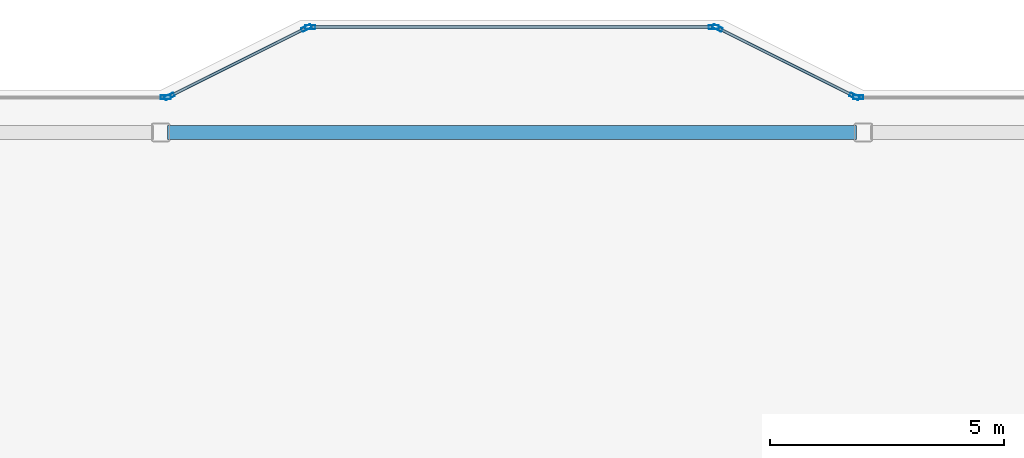
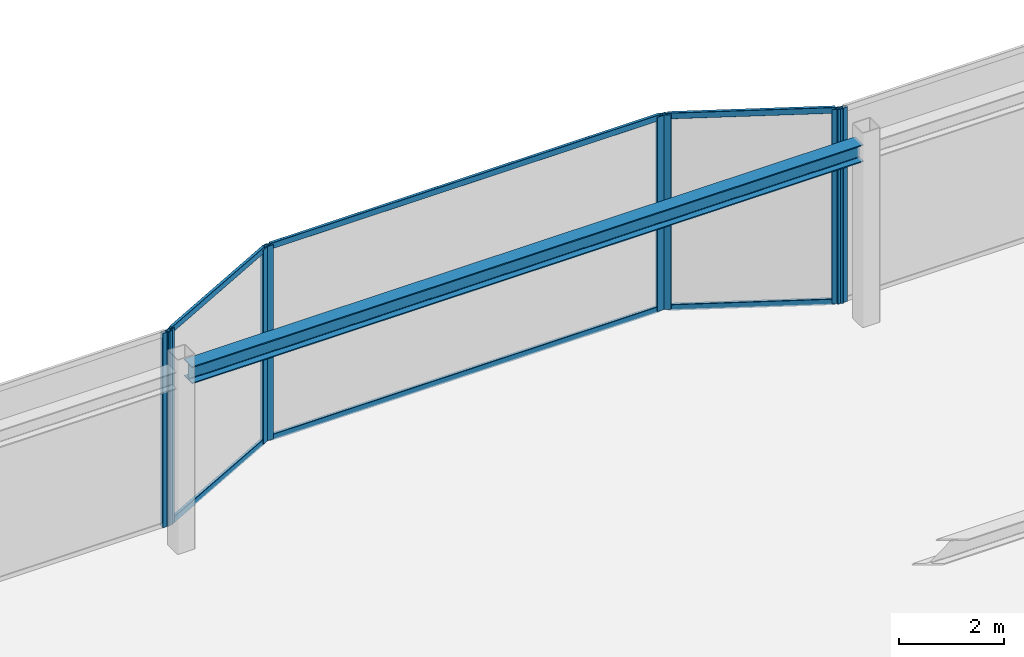
# One storey, part 11 of 16: 14 members, 1 beam, 5 elements without a shape of their own.
"""IFC4 building model written with IfcOpenShell, lengths in metres."""

from ifc_helpers import new_model, si_unit, direction, frame, origin, origin_2d, place, context, subcontext, project, spatial, hollow_rectangle, i_section, extrude, material, layer, layer_set, material_profile, profile_set, type_object, element, aggregate, save


model = new_model("IFC4")

# Units and contexts
model_context = context("Model", 3, precision=1e-05, world=origin(), true_north=direction((0.0, 1.0)))
body_context = subcontext(model_context, "Body", "Model", "MODEL_VIEW")
ifc_project = project(units=[si_unit("LENGTHUNIT", "METRE"), si_unit("AREAUNIT", "SQUARE_METRE"), si_unit("VOLUMEUNIT", "CUBIC_METRE"), si_unit("PLANEANGLEUNIT", "RADIAN"), si_unit("MASSUNIT", "GRAM", prefix="KILO")], contexts=[model_context])

# Site, building, storey
site_placement = place(None, origin())
site = spatial("IfcSite", under=ifc_project, at=site_placement, CompositionType="ELEMENT")
building_placement = place(site_placement, origin())
building = spatial("IfcBuilding", under=site, at=building_placement, Name="Tarnavaz Court Tower", CompositionType="ELEMENT")
storey_placement = place(building_placement, frame((0.0, 0.0, 290.550048828125)))
storey = spatial("IfcBuildingStorey", under=building, at=storey_placement, Name="C03", CompositionType="ELEMENT", Elevation=290.550048828125)

# Beam
ifc_material_1 = material(Name="Steel S355", Category="steel")
ifc_material_profile_1 = material_profile(ifc_material_1, i_section(OverallWidth=0.300048828125, OverallDepth=0.39990234375, WebThickness=0.013427734375, FlangeThickness=0.02392578125, FilletRadius=0.027099609375, at=origin_2d()), Name="HEB 400")
ifc_profile_set_1 = profile_set([ifc_material_profile_1], Name="Steel S355")
beam_type = type_object("IfcBeamType", Name="BM-G-HEB400", PredefinedType="USERDEFINED", material=ifc_profile_set_1)
beam_placement = place(storey_placement, frame((-7.35009765625, 20.10009765625, 4.0), z_axis=(1.0, 0.0, 0.0), x_axis=(0.0, 1.0, 0.0)))
element("IfcBeam", 1, at=beam_placement, inside=storey, type_object=beam_type, Name="C03 Beam CRG-PN-2-PN-3", ObjectType="GIRDER", PredefinedType="USERDEFINED", context=body_context, shape_type="SweptSolid", body=[
    extrude(i_section(OverallWidth=0.300048828125, OverallDepth=0.39990234375, WebThickness=0.013427734375, FlangeThickness=0.02392578125, FilletRadius=0.027099609375, at=origin_2d()), origin(), (0.0, 0.0, 1.0), 14.7001953125),
])

# Curtain wall, member
ifc_material_2 = material(Name="Anodised Aluminium 6063-T6 and Solar Low-E Glazing", Category="aluminium")
ifc_layer = layer(ifc_material_2, 0.2099609375)
ifc_layer_set = layer_set([ifc_layer], Name="Anodised Aluminium 6063-T6 and Solar Low-E Glazing")
curtain_wall_type = type_object("IfcCurtainWallType", Name="CW-SYS-06", PredefinedType="NOTDEFINED", material=ifc_layer_set)
curtain_wall_1_placement = place(storey_placement, origin())
curtain_wall_1 = element("IfcCurtainWall", 2, at=curtain_wall_1_placement, inside=storey, type_object=curtain_wall_type, Name="C03 Slanted Crown Terracotta Curtain Wall 17", PredefinedType="NOTDEFINED")
ifc_material_3 = material(Name="Anodised Aluminium 6063-T6", Category="aluminium")
ifc_material_profile_2 = material_profile(ifc_material_3, hollow_rectangle(XDim=0.0849609375, YDim=0.219970703125, WallThickness=0.006103515625, InnerFilletRadius=0.006103515625, OuterFilletRadius=0.011962890625, at=origin_2d()), Name="ALU RHS 220X85X6")
ifc_profile_set_2 = profile_set([ifc_material_profile_2], Name="Anodised Aluminium 6063-T6")
member_type_1 = type_object("IfcMemberType", Name="CW-MUL-220", PredefinedType="MULLION", material=ifc_profile_set_2)
member_1_placement = place(storey_placement, frame((-7.392578125, 20.85009765625, 0.0), z_axis=(0.0, 0.0, 1.0), x_axis=(0.0, 1.0, 0.0)))
member_1 = element("IfcMember", 3, at=member_1_placement, type_object=member_type_1, Name="CW mullion 3", PredefinedType="MULLION", context=body_context, shape_type="SweptSolid", body=[
    extrude(hollow_rectangle(XDim=0.0849609375, YDim=0.219970703125, WallThickness=0.006103515625, InnerFilletRadius=0.006103515625, OuterFilletRadius=0.011962890625, at=origin_2d()), origin(), (0.0, 0.0, 1.0), 4.5),
])
aggregate(curtain_wall_1, [member_1])

# Curtain wall, members
curtain_wall_2_placement = place(storey_placement, origin())
curtain_wall_2 = element("IfcCurtainWall", 4, at=curtain_wall_2_placement, inside=storey, type_object=curtain_wall_type, Name="C03 Slanted Crown Terracotta Curtain Wall 18", PredefinedType="NOTDEFINED")
member_2_placement = place(storey_placement, frame((-7.31201171875, 20.868896484375, 0.0), z_axis=(0.0, 0.0, 1.0), x_axis=(-0.447213595499, 0.894427191001, 0.0)))
member_2 = element("IfcMember", 5, at=member_2_placement, type_object=member_type_1, Name="CW mullion 1", PredefinedType="MULLION", context=body_context, shape_type="SweptSolid", body=[
    extrude(hollow_rectangle(XDim=0.0849609375, YDim=0.219970703125, WallThickness=0.006103515625, InnerFilletRadius=0.006103515625, OuterFilletRadius=0.011962890625, at=origin_2d()), origin(), (0.0, 0.0, 1.0), 4.5),
])
member_3_placement = place(storey_placement, frame((-4.387939453125, 22.3310546875, 0.0), z_axis=(0.0, 0.0, 1.0), x_axis=(-0.447213595499, 0.894427191001, 0.0)))
member_3 = element("IfcMember", 6, at=member_3_placement, type_object=member_type_1, Name="CW mullion 2", PredefinedType="MULLION", context=body_context, shape_type="SweptSolid", body=[
    extrude(hollow_rectangle(XDim=0.0849609375, YDim=0.219970703125, WallThickness=0.006103515625, InnerFilletRadius=0.006103515625, OuterFilletRadius=0.011962890625, at=origin_2d()), origin(), (0.0, 0.0, 1.0), 4.5),
])

curtain_wall_3_placement = place(storey_placement, origin())
curtain_wall_3 = element("IfcCurtainWall", 7, at=curtain_wall_3_placement, inside=storey, type_object=curtain_wall_type, Name="C03 Slanted Crown Terracotta Curtain Wall 19", PredefinedType="NOTDEFINED")
member_4_placement = place(storey_placement, frame((-4.3076171875, 22.35009765625, 0.0), z_axis=(0.0, 0.0, 1.0), x_axis=(0.0, 1.0, 0.0)))
member_4 = element("IfcMember", 8, at=member_4_placement, type_object=member_type_1, Name="CW mullion 1", PredefinedType="MULLION", context=body_context, shape_type="SweptSolid", body=[
    extrude(hollow_rectangle(XDim=0.0849609375, YDim=0.219970703125, WallThickness=0.006103515625, InnerFilletRadius=0.006103515625, OuterFilletRadius=0.011962890625, at=origin_2d()), origin(), (0.0, 0.0, 1.0), 4.5),
])
member_5_placement = place(storey_placement, frame((4.3076171875, 22.35009765625, 0.0), z_axis=(0.0, 0.0, 1.0), x_axis=(0.0, 1.0, 0.0)))
member_5 = element("IfcMember", 9, at=member_5_placement, type_object=member_type_1, Name="CW mullion 2", PredefinedType="MULLION", context=body_context, shape_type="SweptSolid", body=[
    extrude(hollow_rectangle(XDim=0.0849609375, YDim=0.219970703125, WallThickness=0.006103515625, InnerFilletRadius=0.006103515625, OuterFilletRadius=0.011962890625, at=origin_2d()), origin(), (0.0, 0.0, 1.0), 4.5),
])

curtain_wall_4_placement = place(storey_placement, origin())
curtain_wall_4 = element("IfcCurtainWall", 10, at=curtain_wall_4_placement, inside=storey, type_object=curtain_wall_type, Name="C03 Slanted Crown Terracotta Curtain Wall 20", PredefinedType="NOTDEFINED")
member_6_placement = place(storey_placement, frame((4.387939453125, 22.3310546875, 0.0), z_axis=(0.0, 0.0, 1.0), x_axis=(0.447213595499, 0.894427191001, 0.0)))
member_6 = element("IfcMember", 11, at=member_6_placement, type_object=member_type_1, Name="CW mullion 1", PredefinedType="MULLION", context=body_context, shape_type="SweptSolid", body=[
    extrude(hollow_rectangle(XDim=0.0849609375, YDim=0.219970703125, WallThickness=0.006103515625, InnerFilletRadius=0.006103515625, OuterFilletRadius=0.011962890625, at=origin_2d()), origin(), (0.0, 0.0, 1.0), 4.5),
])
member_7_placement = place(storey_placement, frame((7.31201171875, 20.868896484375, 0.0), z_axis=(0.0, 0.0, 1.0), x_axis=(0.447213595499, 0.894427191001, 0.0)))
member_7 = element("IfcMember", 12, at=member_7_placement, type_object=member_type_1, Name="CW mullion 2", PredefinedType="MULLION", context=body_context, shape_type="SweptSolid", body=[
    extrude(hollow_rectangle(XDim=0.0849609375, YDim=0.219970703125, WallThickness=0.006103515625, InnerFilletRadius=0.006103515625, OuterFilletRadius=0.011962890625, at=origin_2d()), origin(), (0.0, 0.0, 1.0), 4.5),
])

# Curtain wall, member
curtain_wall_5_placement = place(storey_placement, origin())
curtain_wall_5 = element("IfcCurtainWall", 13, at=curtain_wall_5_placement, inside=storey, type_object=curtain_wall_type, Name="C03 Slanted Crown Terracotta Curtain Wall 21", PredefinedType="NOTDEFINED")
member_8_placement = place(storey_placement, frame((7.392578125, 20.85009765625, 0.0), z_axis=(0.0, 0.0, 1.0), x_axis=(0.0, 1.0, 0.0)))
member_8 = element("IfcMember", 14, at=member_8_placement, type_object=member_type_1, Name="CW mullion 1", PredefinedType="MULLION", context=body_context, shape_type="SweptSolid", body=[
    extrude(hollow_rectangle(XDim=0.0849609375, YDim=0.219970703125, WallThickness=0.006103515625, InnerFilletRadius=0.006103515625, OuterFilletRadius=0.011962890625, at=origin_2d()), origin(), (0.0, 0.0, 1.0), 4.5),
])
aggregate(curtain_wall_5, [member_8])

# Member
ifc_material_profile_3 = material_profile(ifc_material_3, hollow_rectangle(XDim=0.06494140625, YDim=0.139892578125, WallThickness=0.00390625, InnerFilletRadius=0.00390625, OuterFilletRadius=0.008056640625, at=origin_2d()), Name="ALU RHS 140X65X4")
ifc_profile_set_3 = profile_set([ifc_material_profile_3], Name="Anodised Aluminium 6063-T6")
member_type_2 = type_object("IfcMemberType", Name="CW-TRN-140", PredefinedType="USERDEFINED", material=ifc_profile_set_3)
member_9_placement = place(storey_placement, frame((-7.27392578125, 20.887939453125, 0.032470703125), z_axis=(0.894411855509, 0.447244265168, 0.0), x_axis=(-0.447244265168, 0.894411855509, 0.0)))
member_9 = element("IfcMember", 15, at=member_9_placement, type_object=member_type_2, Name="CW transom 1.1", ObjectType="TRANSOM", PredefinedType="USERDEFINED", context=body_context, shape_type="SweptSolid", body=[
    extrude(hollow_rectangle(XDim=0.06494140625, YDim=0.139892578125, WallThickness=0.00390625, InnerFilletRadius=0.00390625, OuterFilletRadius=0.008056640625, at=origin_2d()), origin(), (0.0, 0.0, 1.0), 3.18408203125),
])

member_10_placement = place(storey_placement, frame((-7.27392578125, 20.887939453125, 4.467529296875), z_axis=(0.894411855509, 0.447244265168, 0.0), x_axis=(-0.447244265168, 0.894411855509, 0.0)))
member_10 = element("IfcMember", 16, at=member_10_placement, type_object=member_type_2, Name="CW transom 1.2", ObjectType="TRANSOM", PredefinedType="USERDEFINED", context=body_context, shape_type="SweptSolid", body=[
    extrude(hollow_rectangle(XDim=0.06494140625, YDim=0.139892578125, WallThickness=0.00390625, InnerFilletRadius=0.00390625, OuterFilletRadius=0.008056640625, at=origin_2d()), origin(), (0.0, 0.0, 1.0), 3.18408203125),
])

aggregate(curtain_wall_2, [member_2, member_3, member_9, member_10])

member_11_placement = place(storey_placement, frame((-4.264892578125, 22.35009765625, 0.032470703125), z_axis=(1.0, 0.0, 0.0), x_axis=(0.0, 1.0, 0.0)))
member_11 = element("IfcMember", 17, at=member_11_placement, type_object=member_type_2, Name="CW transom 1.1", ObjectType="TRANSOM", PredefinedType="USERDEFINED", context=body_context, shape_type="SweptSolid", body=[
    extrude(hollow_rectangle(XDim=0.06494140625, YDim=0.139892578125, WallThickness=0.00390625, InnerFilletRadius=0.00390625, OuterFilletRadius=0.008056640625, at=origin_2d()), origin(), (0.0, 0.0, 1.0), 8.52978515625),
])

member_12_placement = place(storey_placement, frame((-4.264892578125, 22.35009765625, 4.467529296875), z_axis=(1.0, 0.0, 0.0), x_axis=(0.0, 1.0, 0.0)))
member_12 = element("IfcMember", 18, at=member_12_placement, type_object=member_type_2, Name="CW transom 1.2", ObjectType="TRANSOM", PredefinedType="USERDEFINED", context=body_context, shape_type="SweptSolid", body=[
    extrude(hollow_rectangle(XDim=0.06494140625, YDim=0.139892578125, WallThickness=0.00390625, InnerFilletRadius=0.00390625, OuterFilletRadius=0.008056640625, at=origin_2d()), origin(), (0.0, 0.0, 1.0), 8.52978515625),
])

aggregate(curtain_wall_3, [member_4, member_5, member_11, member_12])

member_13_placement = place(storey_placement, frame((4.426025390625, 22.31201171875, 0.032470703125), z_axis=(0.894411855509, -0.447244265168, 0.0), x_axis=(0.447244265168, 0.894411855509, 0.0)))
member_13 = element("IfcMember", 19, at=member_13_placement, type_object=member_type_2, Name="CW transom 1.1", ObjectType="TRANSOM", PredefinedType="USERDEFINED", context=body_context, shape_type="SweptSolid", body=[
    extrude(hollow_rectangle(XDim=0.06494140625, YDim=0.139892578125, WallThickness=0.00390625, InnerFilletRadius=0.00390625, OuterFilletRadius=0.008056640625, at=origin_2d()), origin(), (0.0, 0.0, 1.0), 3.18408203125),
])

member_14_placement = place(storey_placement, frame((4.426025390625, 22.31201171875, 4.467529296875), z_axis=(0.894411855509, -0.447244265168, 0.0), x_axis=(0.447244265168, 0.894411855509, 0.0)))
member_14 = element("IfcMember", 20, at=member_14_placement, type_object=member_type_2, Name="CW transom 1.2", ObjectType="TRANSOM", PredefinedType="USERDEFINED", context=body_context, shape_type="SweptSolid", body=[
    extrude(hollow_rectangle(XDim=0.06494140625, YDim=0.139892578125, WallThickness=0.00390625, InnerFilletRadius=0.00390625, OuterFilletRadius=0.008056640625, at=origin_2d()), origin(), (0.0, 0.0, 1.0), 3.18408203125),
])

aggregate(curtain_wall_4, [member_6, member_7, member_13, member_14])

save(model, "model.ifc")
